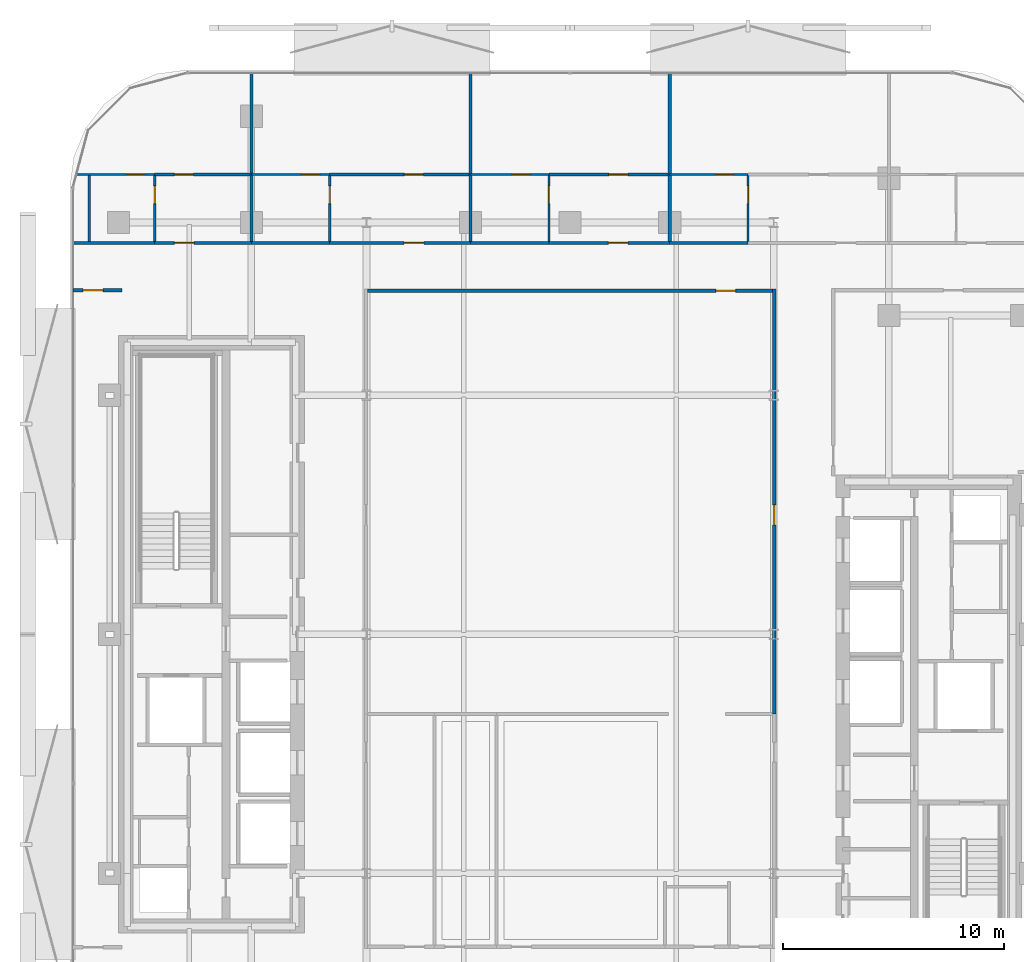
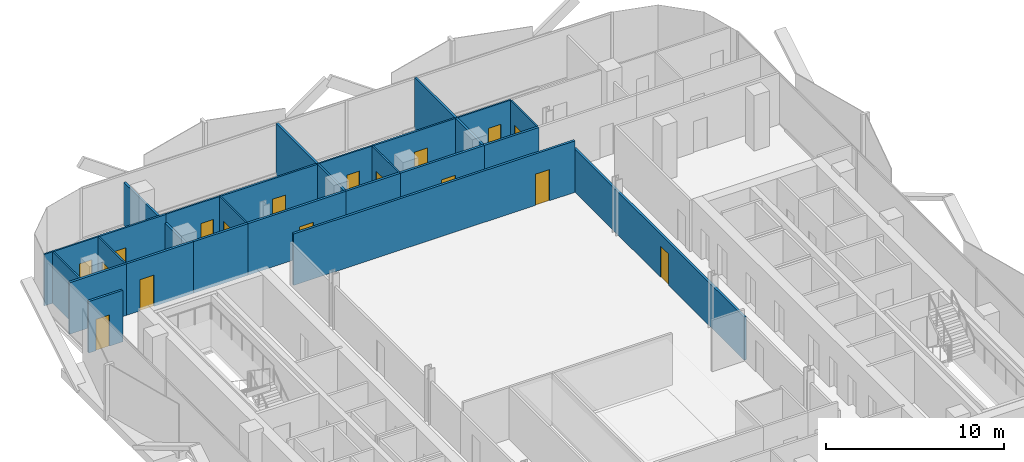
# One storey, part 6 of 17: 28 walls, 17 doors, 17 openings.
"""IFC4 building model written with IfcOpenShell, lengths in metres."""

from ifc_helpers import new_model, si_unit, direction, frame, frame_2d, origin, place, context, subcontext, project, spatial, rectangle, extrude, material, layer, layer_set, type_object, element, fill, save


model = new_model("IFC4")

# Units and contexts
model_context = context("Model", 3, precision=1e-05, world=origin(), true_north=direction((0.0, 1.0)))
body_context = subcontext(model_context, "Body", "Model", "MODEL_VIEW")
ifc_project = project(units=[si_unit("LENGTHUNIT", "METRE"), si_unit("AREAUNIT", "SQUARE_METRE"), si_unit("VOLUMEUNIT", "CUBIC_METRE"), si_unit("PLANEANGLEUNIT", "RADIAN"), si_unit("MASSUNIT", "GRAM", prefix="KILO")], contexts=[model_context])

# Site, building, storey
site_placement = place(None, origin())
site = spatial("IfcSite", under=ifc_project, at=site_placement, CompositionType="ELEMENT")
building_placement = place(site_placement, origin())
building = spatial("IfcBuilding", under=site, at=building_placement, Name="Khairoan Windgate Tower", CompositionType="ELEMENT")
storey_placement = place(building_placement, frame((0.0, 0.0, 168.800048828125)))
storey = spatial("IfcBuildingStorey", under=building, at=storey_placement, Name="L38", CompositionType="ELEMENT", Elevation=168.800048828125)

# Wall, opening, door
ifc_material_1 = material(Name="Moisture-Resistant Gypsum Partition", Category="gypsum")
ifc_layer_1 = layer(ifc_material_1, 0.10009765625, Name="Moisture-Resistant Gypsum Partition")
ifc_layer_set_1 = layer_set([ifc_layer_1], Name="Moisture-Resistant Gypsum Partition")
wall_type_1 = type_object("IfcWallType", Name="Bathroom Wet-Area Partition Wall", PredefinedType="PARTITIONING", material=ifc_layer_set_1)
wall_1_placement = place(storey_placement, frame((-18.763916015625, 17.7548828125, 0.0), z_axis=(0.0, 0.0, 1.0), x_axis=(0.0, 1.0, 0.0)))
wall_1 = element("IfcWall", 1, at=wall_1_placement, inside=storey, type_object=wall_type_1, Name="L38 Interior Partition 052", PredefinedType="PARTITIONING", context=body_context, shape_type="SweptSolid", body=[
    extrude(rectangle(XDim=2.965087890625, YDim=0.10009765625, at=frame_2d((1.482421875, 0.0))), origin(), (0.0, 0.0, 1.0), 3.5400390625),
])
opening_1_placement = place(wall_1_placement, frame((1.705078125, 0.0, 0.0)))
opening_1 = element("IfcOpeningElement", 2, at=opening_1_placement, cuts=wall_1, Name="Opening ID-BTH", PredefinedType="OPENING", context=body_context, shape_type="SweptSolid", body=[
    extrude(rectangle(XDim=0.800048828125, YDim=2.10009765625, at=frame_2d((0.39990234375, 1.050048828125))), frame((0.0, 0.06005859375, 0.0), z_axis=(0.0, -1.0, 0.0), x_axis=(1.0, 0.0, 0.0)), (0.0, 0.0, 1.0), 0.1201171875),
])
ifc_material_2 = material(Name="Teak Veneer Timber Leaf", Category="wood")
door_type_1 = type_object("IfcDoorType", Name="Internal Bathroom Door ID-BTH 800x2100", OperationType="NOTDEFINED", PredefinedType="DOOR", material=ifc_material_2)
door_1_placement = place(opening_1_placement, origin())
door_1 = element("IfcDoor", 3, at=door_1_placement, inside=storey, type_object=door_type_1, Name="L38 L38-40-L38-41 Door", OperationType="SINGLE_SWING_RIGHT", OverallHeight=2.10009765625, OverallWidth=0.800048828125, PredefinedType="DOOR", context=body_context, shape_type="SweptSolid", body=[
    extrude(rectangle(XDim=0.800048828125, YDim=2.10009765625, at=frame_2d((0.39990234375, 1.050048828125))), frame((0.0, 0.02490234375, 0.0), z_axis=(0.0, -1.0, 0.0), x_axis=(1.0, 0.0, 0.0)), (0.0, 0.0, 1.0), 0.050048828125),
])
fill(opening_1, door_1)

wall_2_placement = place(storey_placement, frame((-22.300048828125, 20.77001953125, 0.0), z_axis=(0.0, 0.0, 1.0), x_axis=(1.0, 0.0, 0.0)))
wall_2 = element("IfcWall", 4, at=wall_2_placement, inside=storey, type_object=wall_type_1, Name="L38 Interior Partition 053", PredefinedType="PARTITIONING", context=body_context, shape_type="SweptSolid", body=[
    extrude(rectangle(XDim=3.5361328125, YDim=0.10009765625, at=frame_2d((1.76806640625, 0.0))), origin(), (0.0, 0.0, 1.0), 3.5400390625),
])
opening_2_placement = place(wall_2_placement, frame((2.276123046875, 0.0, 0.0)))
opening_2 = element("IfcOpeningElement", 5, at=opening_2_placement, cuts=wall_2, Name="Opening ID-BTH", PredefinedType="OPENING", context=body_context, shape_type="SweptSolid", body=[
    extrude(rectangle(XDim=0.800048828125, YDim=2.10009765625, at=frame_2d((0.39990234375, 1.050048828125))), frame((0.0, 0.06005859375, 0.0), z_axis=(0.0, -1.0, 0.0), x_axis=(1.0, 0.0, 0.0)), (0.0, 0.0, 1.0), 0.1201171875),
])
door_2_placement = place(opening_2_placement, origin())
door_2 = element("IfcDoor", 6, at=door_2_placement, inside=storey, type_object=door_type_1, Name="L38 L38-40-L38-42 Door", OperationType="SINGLE_SWING_LEFT", OverallHeight=2.10009765625, OverallWidth=0.800048828125, PredefinedType="DOOR", context=body_context, shape_type="SweptSolid", body=[
    extrude(rectangle(XDim=0.800048828125, YDim=2.10009765625, at=frame_2d((0.39990234375, 1.050048828125))), frame((0.0, 0.02490234375, 0.0), z_axis=(0.0, -1.0, 0.0), x_axis=(1.0, 0.0, 0.0)), (0.0, 0.0, 1.0), 0.050048828125),
])
fill(opening_2, door_2)

wall_3_placement = place(storey_placement, frame((-10.860107421875, 17.7548828125, 0.0), z_axis=(0.0, 0.0, 1.0), x_axis=(0.0, 1.0, 0.0)))
wall_3 = element("IfcWall", 7, at=wall_3_placement, inside=storey, type_object=wall_type_1, Name="L38 Interior Partition 057", PredefinedType="PARTITIONING", context=body_context, shape_type="SweptSolid", body=[
    extrude(rectangle(XDim=2.965087890625, YDim=0.10009765625, at=frame_2d((1.482421875, 0.0))), origin(), (0.0, 0.0, 1.0), 3.5400390625),
])
opening_3_placement = place(wall_3_placement, frame((1.705078125, 0.0, 0.0)))
opening_3 = element("IfcOpeningElement", 8, at=opening_3_placement, cuts=wall_3, Name="Opening ID-BTH", PredefinedType="OPENING", context=body_context, shape_type="SweptSolid", body=[
    extrude(rectangle(XDim=0.800048828125, YDim=2.10009765625, at=frame_2d((0.39990234375, 1.050048828125))), frame((0.0, 0.06005859375, 0.0), z_axis=(0.0, -1.0, 0.0), x_axis=(1.0, 0.0, 0.0)), (0.0, 0.0, 1.0), 0.1201171875),
])
door_3_placement = place(opening_3_placement, origin())
door_3 = element("IfcDoor", 9, at=door_3_placement, inside=storey, type_object=door_type_1, Name="L38 L38-43-L38-44 Door", OperationType="SINGLE_SWING_LEFT", OverallHeight=2.10009765625, OverallWidth=0.800048828125, PredefinedType="DOOR", context=body_context, shape_type="SweptSolid", body=[
    extrude(rectangle(XDim=0.800048828125, YDim=2.10009765625, at=frame_2d((0.39990234375, 1.050048828125))), frame((0.0, 0.02490234375, 0.0), z_axis=(0.0, -1.0, 0.0), x_axis=(1.0, 0.0, 0.0)), (0.0, 0.0, 1.0), 0.050048828125),
])
fill(opening_3, door_3)

wall_4_placement = place(storey_placement, frame((-14.39990234375, 20.77001953125, 0.0), z_axis=(0.0, 0.0, 1.0), x_axis=(1.0, 0.0, 0.0)))
wall_4 = element("IfcWall", 10, at=wall_4_placement, inside=storey, type_object=wall_type_1, Name="L38 Interior Partition 058", PredefinedType="PARTITIONING", context=body_context, shape_type="SweptSolid", body=[
    extrude(rectangle(XDim=3.539794921875, YDim=0.10009765625, at=frame_2d((1.77001953125, 0.0))), origin(), (0.0, 0.0, 1.0), 3.5400390625),
])
opening_4_placement = place(wall_4_placement, frame((2.280029296875, 0.0, 0.0)))
opening_4 = element("IfcOpeningElement", 11, at=opening_4_placement, cuts=wall_4, Name="Opening ID-BTH", PredefinedType="OPENING", context=body_context, shape_type="SweptSolid", body=[
    extrude(rectangle(XDim=0.800048828125, YDim=2.10009765625, at=frame_2d((0.39990234375, 1.050048828125))), frame((0.0, 0.06005859375, 0.0), z_axis=(0.0, -1.0, 0.0), x_axis=(1.0, 0.0, 0.0)), (0.0, 0.0, 1.0), 0.1201171875),
])
door_4_placement = place(opening_4_placement, origin())
door_4 = element("IfcDoor", 12, at=door_4_placement, inside=storey, type_object=door_type_1, Name="L38 L38-43-L38-45 Door", OperationType="SINGLE_SWING_RIGHT", OverallHeight=2.10009765625, OverallWidth=0.800048828125, PredefinedType="DOOR", context=body_context, shape_type="SweptSolid", body=[
    extrude(rectangle(XDim=0.800048828125, YDim=2.10009765625, at=frame_2d((0.39990234375, 1.050048828125))), frame((0.0, 0.02490234375, 0.0), z_axis=(0.0, -1.0, 0.0), x_axis=(1.0, 0.0, 0.0)), (0.0, 0.0, 1.0), 0.050048828125),
])
fill(opening_4, door_4)

wall_5_placement = place(storey_placement, frame((-0.9599609375, 17.7548828125, 0.0), z_axis=(0.0, 0.0, 1.0), x_axis=(0.0, 1.0, 0.0)))
wall_5 = element("IfcWall", 13, at=wall_5_placement, inside=storey, type_object=wall_type_1, Name="L38 Interior Partition 062", PredefinedType="PARTITIONING", context=body_context, shape_type="SweptSolid", body=[
    extrude(rectangle(XDim=2.965087890625, YDim=0.10009765625, at=frame_2d((1.482421875, 0.0))), origin(), (0.0, 0.0, 1.0), 3.5400390625),
])
opening_5_placement = place(wall_5_placement, frame((1.705078125, 0.0, 0.0)))
opening_5 = element("IfcOpeningElement", 14, at=opening_5_placement, cuts=wall_5, Name="Opening ID-BTH", PredefinedType="OPENING", context=body_context, shape_type="SweptSolid", body=[
    extrude(rectangle(XDim=0.800048828125, YDim=2.10009765625, at=frame_2d((0.39990234375, 1.050048828125))), frame((0.0, 0.06005859375, 0.0), z_axis=(0.0, -1.0, 0.0), x_axis=(1.0, 0.0, 0.0)), (0.0, 0.0, 1.0), 0.1201171875),
])
door_5_placement = place(opening_5_placement, origin())
door_5 = element("IfcDoor", 15, at=door_5_placement, inside=storey, type_object=door_type_1, Name="L38 L38-46-L38-47 Door", OperationType="SINGLE_SWING_RIGHT", OverallHeight=2.10009765625, OverallWidth=0.800048828125, PredefinedType="DOOR", context=body_context, shape_type="SweptSolid", body=[
    extrude(rectangle(XDim=0.800048828125, YDim=2.10009765625, at=frame_2d((0.39990234375, 1.050048828125))), frame((0.0, 0.02490234375, 0.0), z_axis=(0.0, -1.0, 0.0), x_axis=(1.0, 0.0, 0.0)), (0.0, 0.0, 1.0), 0.050048828125),
])
fill(opening_5, door_5)

wall_6_placement = place(storey_placement, frame((-4.5, 20.77001953125, 0.0), z_axis=(0.0, 0.0, 1.0), x_axis=(1.0, 0.0, 0.0)))
wall_6 = element("IfcWall", 16, at=wall_6_placement, inside=storey, type_object=wall_type_1, Name="L38 Interior Partition 063", PredefinedType="PARTITIONING", context=body_context, shape_type="SweptSolid", body=[
    extrude(rectangle(XDim=3.5400390625, YDim=0.10009765625, at=frame_2d((1.77001953125, 0.0))), origin(), (0.0, 0.0, 1.0), 3.5400390625),
])
opening_6_placement = place(wall_6_placement, frame((1.87548828125, 0.0, 0.0)))
opening_6 = element("IfcOpeningElement", 17, at=opening_6_placement, cuts=wall_6, Name="Opening ID-BTH", PredefinedType="OPENING", context=body_context, shape_type="SweptSolid", body=[
    extrude(rectangle(XDim=0.800048828125, YDim=2.10009765625, at=frame_2d((0.39990234375, 1.050048828125))), frame((0.0, 0.06005859375, 0.0), z_axis=(0.0, -1.0, 0.0), x_axis=(1.0, 0.0, 0.0)), (0.0, 0.0, 1.0), 0.1201171875),
])
door_6_placement = place(opening_6_placement, origin())
door_6 = element("IfcDoor", 18, at=door_6_placement, inside=storey, type_object=door_type_1, Name="L38 L38-46-L38-48 Door", OperationType="SINGLE_SWING_LEFT", OverallHeight=2.10009765625, OverallWidth=0.800048828125, PredefinedType="DOOR", context=body_context, shape_type="SweptSolid", body=[
    extrude(rectangle(XDim=0.800048828125, YDim=2.10009765625, at=frame_2d((0.39990234375, 1.050048828125))), frame((0.0, 0.02490234375, 0.0), z_axis=(0.0, -1.0, 0.0), x_axis=(1.0, 0.0, 0.0)), (0.0, 0.0, 1.0), 0.050048828125),
])
fill(opening_6, door_6)

wall_7_placement = place(storey_placement, frame((8.0400390625, 17.7548828125, 0.0), z_axis=(0.0, 0.0, 1.0), x_axis=(0.0, 1.0, 0.0)))
wall_7 = element("IfcWall", 19, at=wall_7_placement, inside=storey, type_object=wall_type_1, Name="L38 Interior Partition 067", PredefinedType="PARTITIONING", context=body_context, shape_type="SweptSolid", body=[
    extrude(rectangle(XDim=2.965087890625, YDim=0.10009765625, at=frame_2d((1.482421875, 0.0))), origin(), (0.0, 0.0, 1.0), 3.5400390625),
])
opening_7_placement = place(wall_7_placement, frame((1.705078125, 0.0, 0.0)))
opening_7 = element("IfcOpeningElement", 20, at=opening_7_placement, cuts=wall_7, Name="Opening ID-BTH", PredefinedType="OPENING", context=body_context, shape_type="SweptSolid", body=[
    extrude(rectangle(XDim=0.800048828125, YDim=2.10009765625, at=frame_2d((0.39990234375, 1.050048828125))), frame((0.0, 0.06005859375, 0.0), z_axis=(0.0, -1.0, 0.0), x_axis=(1.0, 0.0, 0.0)), (0.0, 0.0, 1.0), 0.1201171875),
])
door_7_placement = place(opening_7_placement, origin())
door_7 = element("IfcDoor", 21, at=door_7_placement, inside=storey, type_object=door_type_1, Name="L38 L38-49-L38-50 Door", OperationType="SINGLE_SWING_LEFT", OverallHeight=2.10009765625, OverallWidth=0.800048828125, PredefinedType="DOOR", context=body_context, shape_type="SweptSolid", body=[
    extrude(rectangle(XDim=0.800048828125, YDim=2.10009765625, at=frame_2d((0.39990234375, 1.050048828125))), frame((0.0, 0.02490234375, 0.0), z_axis=(0.0, -1.0, 0.0), x_axis=(1.0, 0.0, 0.0)), (0.0, 0.0, 1.0), 0.050048828125),
])
fill(opening_7, door_7)

wall_8_placement = place(storey_placement, frame((4.5, 20.77001953125, 0.0), z_axis=(0.0, 0.0, 1.0), x_axis=(1.0, 0.0, 0.0)))
wall_8 = element("IfcWall", 22, at=wall_8_placement, inside=storey, type_object=wall_type_1, Name="L38 Interior Partition 068", PredefinedType="PARTITIONING", context=body_context, shape_type="SweptSolid", body=[
    extrude(rectangle(XDim=3.5400390625, YDim=0.10009765625, at=frame_2d((1.77001953125, 0.0))), origin(), (0.0, 0.0, 1.0), 3.5400390625),
])
opening_8_placement = place(wall_8_placement, frame((2.077880859375, 0.0, 0.0)))
opening_8 = element("IfcOpeningElement", 23, at=opening_8_placement, cuts=wall_8, Name="Opening ID-BTH", PredefinedType="OPENING", context=body_context, shape_type="SweptSolid", body=[
    extrude(rectangle(XDim=0.800048828125, YDim=2.10009765625, at=frame_2d((0.39990234375, 1.050048828125))), frame((0.0, 0.06005859375, 0.0), z_axis=(0.0, -1.0, 0.0), x_axis=(1.0, 0.0, 0.0)), (0.0, 0.0, 1.0), 0.1201171875),
])
door_8_placement = place(opening_8_placement, origin())
door_8 = element("IfcDoor", 24, at=door_8_placement, inside=storey, type_object=door_type_1, Name="L38 L38-49-L38-51 Door", OperationType="SINGLE_SWING_RIGHT", OverallHeight=2.10009765625, OverallWidth=0.800048828125, PredefinedType="DOOR", context=body_context, shape_type="SweptSolid", body=[
    extrude(rectangle(XDim=0.800048828125, YDim=2.10009765625, at=frame_2d((0.39990234375, 1.050048828125))), frame((0.0, 0.02490234375, 0.0), z_axis=(0.0, -1.0, 0.0), x_axis=(1.0, 0.0, 0.0)), (0.0, 0.0, 1.0), 0.050048828125),
])
fill(opening_8, door_8)

# Walls
wall_9_placement = place(storey_placement, frame((-21.719970703125, 17.7548828125, 0.0), z_axis=(0.0, 0.0, 1.0), x_axis=(0.0, 1.0, 0.0)))
element("IfcWall", 25, at=wall_9_placement, inside=storey, type_object=wall_type_1, Name="L38 Wet Room Side Wall 092", PredefinedType="PARTITIONING", context=body_context, shape_type="SweptSolid", body=[
    extrude(rectangle(XDim=2.965087890625, YDim=0.10009765625, at=frame_2d((1.482421875, 0.0))), origin(), (0.0, 0.0, 1.0), 3.5400390625),
])
ifc_material_3 = material(Name="Acoustic Fire-Rated Gypsum Partition", Category="gypsum")
ifc_layer_2 = layer(ifc_material_3, 0.139892578125, Name="Acoustic Fire-Rated Gypsum Partition")
ifc_layer_set_2 = layer_set([ifc_layer_2], Name="Acoustic Fire-Rated Gypsum Partition")
wall_type_2 = type_object("IfcWallType", Name="Inter-Tenancy Compartment Wall", PredefinedType="PARTITIONING", material=ifc_layer_set_2)
wall_10_placement = place(storey_placement, frame((-14.39990234375, 17.7548828125, 0.0), z_axis=(0.0, 0.0, 1.0), x_axis=(0.0, 1.0, 0.0)))
element("IfcWall", 26, at=wall_10_placement, inside=storey, type_object=wall_type_2, Name="L38 Interior Partition 055", PredefinedType="PARTITIONING", context=body_context, shape_type="SweptSolid", body=[
    extrude(rectangle(XDim=3.01513671875, YDim=0.139892578125, at=frame_2d((1.507568359375, 0.0))), origin(), (0.0, 0.0, 1.0), 2.951904296875),
])
wall_11_placement = place(storey_placement, frame((-14.39990234375, 20.77001953125, 0.0), z_axis=(0.0, 0.0, 1.0), x_axis=(0.0, 1.0, 0.0)))
element("IfcWall", 27, at=wall_11_placement, inside=storey, type_object=wall_type_2, Name="L38 Interior Partition 056", PredefinedType="PARTITIONING", context=body_context, shape_type="SweptSolid", body=[
    extrude(rectangle(XDim=4.5849609375, YDim=0.139892578125, at=frame_2d((2.29248046875, 0.0))), origin(), (0.0, 0.0, 1.0), 2.951904296875),
])
wall_12_placement = place(storey_placement, frame((-4.5, 17.7548828125, 0.0), z_axis=(0.0, 0.0, 1.0), x_axis=(0.0, 1.0, 0.0)))
element("IfcWall", 28, at=wall_12_placement, inside=storey, type_object=wall_type_2, Name="L38 Interior Partition 060", PredefinedType="PARTITIONING", context=body_context, shape_type="SweptSolid", body=[
    extrude(rectangle(XDim=3.01513671875, YDim=0.139892578125, at=frame_2d((1.507568359375, 0.0))), origin(), (0.0, 0.0, 1.0), 3.5400390625),
])
wall_13_placement = place(storey_placement, frame((-4.5, 20.77001953125, 0.0), z_axis=(0.0, 0.0, 1.0), x_axis=(0.0, 1.0, 0.0)))
element("IfcWall", 29, at=wall_13_placement, inside=storey, type_object=wall_type_2, Name="L38 Interior Partition 061", PredefinedType="PARTITIONING", context=body_context, shape_type="SweptSolid", body=[
    extrude(rectangle(XDim=4.5849609375, YDim=0.139892578125, at=frame_2d((2.29248046875, 0.0))), origin(), (0.0, 0.0, 1.0), 3.5400390625),
])
wall_14_placement = place(storey_placement, frame((4.5, 17.7548828125, 0.0), z_axis=(0.0, 0.0, 1.0), x_axis=(0.0, 1.0, 0.0)))
element("IfcWall", 30, at=wall_14_placement, inside=storey, type_object=wall_type_2, Name="L38 Interior Partition 065", PredefinedType="PARTITIONING", context=body_context, shape_type="SweptSolid", body=[
    extrude(rectangle(XDim=3.01513671875, YDim=0.139892578125, at=frame_2d((1.507568359375, 0.0))), origin(), (0.0, 0.0, 1.0), 3.5400390625),
])
wall_15_placement = place(storey_placement, frame((4.5, 20.77001953125, 0.0), z_axis=(0.0, 0.0, 1.0), x_axis=(0.0, 1.0, 0.0)))
element("IfcWall", 31, at=wall_15_placement, inside=storey, type_object=wall_type_2, Name="L38 Interior Partition 066", PredefinedType="PARTITIONING", context=body_context, shape_type="SweptSolid", body=[
    extrude(rectangle(XDim=4.5849609375, YDim=0.139892578125, at=frame_2d((2.29248046875, 0.0))), origin(), (0.0, 0.0, 1.0), 3.5400390625),
])

# Wall, opening, door
ifc_material_4 = material(Name="Gypsum Stud Partition", Category="gypsum")
ifc_layer_3 = layer(ifc_material_4, 0.1201171875, Name="Gypsum Stud Partition")
ifc_layer_set_3 = layer_set([ifc_layer_3], Name="Gypsum Stud Partition")
wall_type_3 = type_object("IfcWallType", Name="Internal Room Partition Wall", PredefinedType="PARTITIONING", material=ifc_layer_set_3)
wall_16_placement = place(storey_placement, frame((-18.763916015625, 20.77001953125, 0.0), z_axis=(0.0, 0.0, 1.0), x_axis=(1.0, 0.0, 0.0)))
wall_16 = element("IfcWall", 32, at=wall_16_placement, inside=storey, type_object=wall_type_3, Name="L38 Interior Partition 054", PredefinedType="PARTITIONING", context=body_context, shape_type="SweptSolid", body=[
    extrude(rectangle(XDim=4.364013671875, YDim=0.1201171875, at=frame_2d((2.18212890625, 0.0))), origin(), (0.0, 0.0, 1.0), 3.5400390625),
])
opening_9_placement = place(wall_16_placement, frame((0.890625, 0.0, 0.0)))
opening_9 = element("IfcOpeningElement", 33, at=opening_9_placement, cuts=wall_16, Name="Opening ID-RM", PredefinedType="OPENING", context=body_context, shape_type="SweptSolid", body=[
    extrude(rectangle(XDim=0.860107421875, YDim=2.14990234375, at=frame_2d((0.43017578125, 1.074951171875))), frame((0.0, 0.070068359375, 0.0), z_axis=(0.0, -1.0, 0.0), x_axis=(1.0, 0.0, 0.0)), (0.0, 0.0, 1.0), 0.14013671875),
])
ifc_material_5 = material(Name="Teak Veneer Timber Leaf", Category="wood")
door_type_2 = type_object("IfcDoorType", Name="Internal Bedroom and Office Door ID-RM 860x2150", OperationType="NOTDEFINED", PredefinedType="DOOR", material=ifc_material_5)
door_9_placement = place(opening_9_placement, origin())
door_9 = element("IfcDoor", 34, at=door_9_placement, inside=storey, type_object=door_type_2, Name="L38 L38-41-L38-42 Door", OperationType="SINGLE_SWING_RIGHT", OverallHeight=2.14990234375, OverallWidth=0.860107421875, PredefinedType="DOOR", context=body_context, shape_type="SweptSolid", body=[
    extrude(rectangle(XDim=0.860107421875, YDim=2.14990234375, at=frame_2d((0.43017578125, 1.074951171875))), frame((0.0, 0.02490234375, 0.0), z_axis=(0.0, -1.0, 0.0), x_axis=(1.0, 0.0, 0.0)), (0.0, 0.0, 1.0), 0.050048828125),
])
fill(opening_9, door_9)

wall_17_placement = place(storey_placement, frame((-10.860107421875, 20.77001953125, 0.0), z_axis=(0.0, 0.0, 1.0), x_axis=(1.0, 0.0, 0.0)))
wall_17 = element("IfcWall", 35, at=wall_17_placement, inside=storey, type_object=wall_type_3, Name="L38 Interior Partition 059", PredefinedType="PARTITIONING", context=body_context, shape_type="SweptSolid", body=[
    extrude(rectangle(XDim=6.360107421875, YDim=0.1201171875, at=frame_2d((3.18017578125, 0.0))), origin(), (0.0, 0.0, 1.0), 3.5400390625),
])
opening_10_placement = place(wall_17_placement, frame((3.37451171875, 0.0, 0.0)))
opening_10 = element("IfcOpeningElement", 36, at=opening_10_placement, cuts=wall_17, Name="Opening ID-RM", PredefinedType="OPENING", context=body_context, shape_type="SweptSolid", body=[
    extrude(rectangle(XDim=0.860107421875, YDim=2.14990234375, at=frame_2d((0.43017578125, 1.074951171875))), frame((0.0, 0.070068359375, 0.0), z_axis=(0.0, -1.0, 0.0), x_axis=(1.0, 0.0, 0.0)), (0.0, 0.0, 1.0), 0.14013671875),
])
door_10_placement = place(opening_10_placement, origin())
door_10 = element("IfcDoor", 37, at=door_10_placement, inside=storey, type_object=door_type_2, Name="L38 L38-44-L38-45 Door", OperationType="SINGLE_SWING_LEFT", OverallHeight=2.14990234375, OverallWidth=0.860107421875, PredefinedType="DOOR", context=body_context, shape_type="SweptSolid", body=[
    extrude(rectangle(XDim=0.860107421875, YDim=2.14990234375, at=frame_2d((0.43017578125, 1.074951171875))), frame((0.0, 0.02490234375, 0.0), z_axis=(0.0, -1.0, 0.0), x_axis=(1.0, 0.0, 0.0)), (0.0, 0.0, 1.0), 0.050048828125),
])
fill(opening_10, door_10)

wall_18_placement = place(storey_placement, frame((-0.9599609375, 20.77001953125, 0.0), z_axis=(0.0, 0.0, 1.0), x_axis=(1.0, 0.0, 0.0)))
wall_18 = element("IfcWall", 38, at=wall_18_placement, inside=storey, type_object=wall_type_3, Name="L38 Interior Partition 064", PredefinedType="PARTITIONING", context=body_context, shape_type="SweptSolid", body=[
    extrude(rectangle(XDim=5.4599609375, YDim=0.1201171875, at=frame_2d((2.72998046875, 0.0))), origin(), (0.0, 0.0, 1.0), 3.5400390625),
])
opening_11_placement = place(wall_18_placement, frame((2.708984375, 0.0, 0.0)))
opening_11 = element("IfcOpeningElement", 39, at=opening_11_placement, cuts=wall_18, Name="Opening ID-RM", PredefinedType="OPENING", context=body_context, shape_type="SweptSolid", body=[
    extrude(rectangle(XDim=0.860107421875, YDim=2.14990234375, at=frame_2d((0.43017578125, 1.074951171875))), frame((0.0, 0.070068359375, 0.0), z_axis=(0.0, -1.0, 0.0), x_axis=(1.0, 0.0, 0.0)), (0.0, 0.0, 1.0), 0.14013671875),
])
door_11_placement = place(opening_11_placement, origin())
door_11 = element("IfcDoor", 40, at=door_11_placement, inside=storey, type_object=door_type_2, Name="L38 L38-47-L38-48 Door", OperationType="SINGLE_SWING_RIGHT", OverallHeight=2.14990234375, OverallWidth=0.860107421875, PredefinedType="DOOR", context=body_context, shape_type="SweptSolid", body=[
    extrude(rectangle(XDim=0.860107421875, YDim=2.14990234375, at=frame_2d((0.43017578125, 1.074951171875))), frame((0.0, 0.02490234375, 0.0), z_axis=(0.0, -1.0, 0.0), x_axis=(1.0, 0.0, 0.0)), (0.0, 0.0, 1.0), 0.050048828125),
])
fill(opening_11, door_11)

ifc_material_6 = material(Name="Acoustic Fire-Rated Gypsum Partition", Category="gypsum")
ifc_layer_4 = layer(ifc_material_6, 0.14990234375, Name="Acoustic Fire-Rated Gypsum Partition")
ifc_layer_set_4 = layer_set([ifc_layer_4], Name="Acoustic Fire-Rated Gypsum Partition")
wall_type_4 = type_object("IfcWallType", Name="Rated Corridor Partition Wall", PredefinedType="PARTITIONING", material=ifc_layer_set_4)
wall_19_placement = place(storey_placement, frame((9.219970703125, -3.60009765625, 0.0), z_axis=(0.0, 0.0, 1.0), x_axis=(0.0, 1.0, 0.0)))
wall_19 = element("IfcWall", 41, at=wall_19_placement, inside=storey, type_object=wall_type_4, Name="L38 Interior Partition 017", PredefinedType="PARTITIONING", context=body_context, shape_type="SweptSolid", body=[
    extrude(rectangle(XDim=19.195068359375, YDim=0.14990234375, at=frame_2d((9.59765625, 0.0))), origin(), (0.0, 0.0, 1.0), 2.951904296875),
])
opening_12_placement = place(wall_19_placement, frame((8.54150390625, 0.0, 0.0)))
opening_12 = element("IfcOpeningElement", 42, at=opening_12_placement, cuts=wall_19, Name="Opening FD-ENT", PredefinedType="OPENING", context=body_context, shape_type="SweptSolid", body=[
    extrude(rectangle(XDim=0.89990234375, YDim=2.14990234375, at=frame_2d((0.449951171875, 1.074951171875))), frame((0.0, 0.0849609375, 0.0), z_axis=(0.0, -1.0, 0.0), x_axis=(1.0, 0.0, 0.0)), (0.0, 0.0, 1.0), 0.169921875),
])
ifc_material_7 = material(Name="Timber Fire-Rated Core", Category="wood")
door_type_3 = type_object("IfcDoorType", Name="Unit and Office Fire Entrance Door FD-ENT 900x2150", OperationType="NOTDEFINED", PredefinedType="DOOR", material=ifc_material_7)
door_12_placement = place(opening_12_placement, origin())
door_12 = element("IfcDoor", 43, at=door_12_placement, inside=storey, type_object=door_type_3, Name="L38 L38-31-L38-39 Door", OperationType="SINGLE_SWING_LEFT", OverallHeight=2.14990234375, OverallWidth=0.89990234375, PredefinedType="DOOR", context=body_context, shape_type="SweptSolid", body=[
    extrude(rectangle(XDim=0.89990234375, YDim=2.14990234375, at=frame_2d((0.449951171875, 1.074951171875))), frame((0.0, 0.02490234375, 0.0), z_axis=(0.0, -1.0, 0.0), x_axis=(1.0, 0.0, 0.0)), (0.0, 0.0, 1.0), 0.050048828125),
])
fill(opening_12, door_12)

wall_20_placement = place(storey_placement, frame((-9.14501953125, 15.52001953125, 0.0), z_axis=(0.0, 0.0, 1.0), x_axis=(1.0, 0.0, 0.0)))
wall_20 = element("IfcWall", 44, at=wall_20_placement, inside=storey, type_object=wall_type_4, Name="L38 Interior Partition 019", PredefinedType="PARTITIONING", context=body_context, shape_type="SweptSolid", body=[
    extrude(rectangle(XDim=18.2900390625, YDim=0.14990234375, at=frame_2d((9.14501953125, 0.0))), origin(), (0.0, 0.0, 1.0), 3.5400390625),
])
opening_13_placement = place(wall_20_placement, frame((15.724853515625, 0.0, 0.0)))
opening_13 = element("IfcOpeningElement", 45, at=opening_13_placement, cuts=wall_20, Name="Opening FD-ENT", PredefinedType="OPENING", context=body_context, shape_type="SweptSolid", body=[
    extrude(rectangle(XDim=0.89990234375, YDim=2.14990234375, at=frame_2d((0.449951171875, 1.074951171875))), frame((0.0, 0.0849609375, 0.0), z_axis=(0.0, -1.0, 0.0), x_axis=(1.0, 0.0, 0.0)), (0.0, 0.0, 1.0), 0.169921875),
])
door_13_placement = place(opening_13_placement, origin())
door_13 = element("IfcDoor", 46, at=door_13_placement, inside=storey, type_object=door_type_3, Name="L38 L38-32-L38-39 Door", OperationType="SINGLE_SWING_LEFT", OverallHeight=2.14990234375, OverallWidth=0.89990234375, PredefinedType="DOOR", context=body_context, shape_type="SweptSolid", body=[
    extrude(rectangle(XDim=0.89990234375, YDim=2.14990234375, at=frame_2d((0.449951171875, 1.074951171875))), frame((0.0, 0.02490234375, 0.0), z_axis=(0.0, -1.0, 0.0), x_axis=(1.0, 0.0, 0.0)), (0.0, 0.0, 1.0), 0.050048828125),
])
fill(opening_13, door_13)

# Wall
wall_21_placement = place(storey_placement, frame((-22.455078125, 17.679931640625, 0.0), z_axis=(0.0, 0.0, 1.0), x_axis=(1.0, 0.0, 0.0)))
element("IfcWall", 47, at=wall_21_placement, inside=storey, type_object=wall_type_4, Name="L38 Interior Partition 020", PredefinedType="PARTITIONING", context=body_context, shape_type="SweptSolid", body=[
    extrude(rectangle(XDim=3.691162109375, YDim=0.14990234375, at=frame_2d((1.845703125, 0.0))), origin(), (0.0, 0.0, 1.0), 3.5400390625),
])

# Wall, opening, door
wall_22_placement = place(storey_placement, frame((-18.763916015625, 17.679931640625, 0.0), z_axis=(0.0, 0.0, 1.0), x_axis=(1.0, 0.0, 0.0)))
wall_22 = element("IfcWall", 48, at=wall_22_placement, inside=storey, type_object=wall_type_4, Name="L38 Interior Partition 021", PredefinedType="PARTITIONING", context=body_context, shape_type="SweptSolid", body=[
    extrude(rectangle(XDim=4.364013671875, YDim=0.14990234375, at=frame_2d((2.18212890625, 0.0))), origin(), (0.0, 0.0, 1.0), 3.5400390625),
])
opening_14_placement = place(wall_22_placement, frame((0.884033203125, 0.0, 0.0)))
opening_14 = element("IfcOpeningElement", 49, at=opening_14_placement, cuts=wall_22, Name="Opening FD-ENT", PredefinedType="OPENING", context=body_context, shape_type="SweptSolid", body=[
    extrude(rectangle(XDim=0.89990234375, YDim=2.14990234375, at=frame_2d((0.449951171875, 1.074951171875))), frame((0.0, 0.0849609375, 0.0), z_axis=(0.0, -1.0, 0.0), x_axis=(1.0, 0.0, 0.0)), (0.0, 0.0, 1.0), 0.169921875),
])
door_14_placement = place(opening_14_placement, origin())
door_14 = element("IfcDoor", 50, at=door_14_placement, inside=storey, type_object=door_type_3, Name="L38 L38-32-L38-41 Door", OperationType="SINGLE_SWING_RIGHT", OverallHeight=2.14990234375, OverallWidth=0.89990234375, PredefinedType="DOOR", context=body_context, shape_type="SweptSolid", body=[
    extrude(rectangle(XDim=0.89990234375, YDim=2.14990234375, at=frame_2d((0.449951171875, 1.074951171875))), frame((0.0, 0.02490234375, 0.0), z_axis=(0.0, -1.0, 0.0), x_axis=(1.0, 0.0, 0.0)), (0.0, 0.0, 1.0), 0.050048828125),
])
fill(opening_14, door_14)

# Wall
wall_23_placement = place(storey_placement, frame((-14.39990234375, 17.679931640625, 0.0), z_axis=(0.0, 0.0, 1.0), x_axis=(1.0, 0.0, 0.0)))
element("IfcWall", 51, at=wall_23_placement, inside=storey, type_object=wall_type_4, Name="L38 Interior Partition 022", PredefinedType="PARTITIONING", context=body_context, shape_type="SweptSolid", body=[
    extrude(rectangle(XDim=3.539794921875, YDim=0.14990234375, at=frame_2d((1.77001953125, 0.0))), origin(), (0.0, 0.0, 1.0), 3.5400390625),
])

# Wall, opening, door
wall_24_placement = place(storey_placement, frame((-10.860107421875, 17.679931640625, 0.0), z_axis=(0.0, 0.0, 1.0), x_axis=(1.0, 0.0, 0.0)))
wall_24 = element("IfcWall", 52, at=wall_24_placement, inside=storey, type_object=wall_type_4, Name="L38 Interior Partition 023", PredefinedType="PARTITIONING", context=body_context, shape_type="SweptSolid", body=[
    extrude(rectangle(XDim=6.360107421875, YDim=0.14990234375, at=frame_2d((3.18017578125, 0.0))), origin(), (0.0, 0.0, 1.0), 3.5400390625),
])
opening_15_placement = place(wall_24_placement, frame((3.34912109375, 0.0, 0.0)))
opening_15 = element("IfcOpeningElement", 53, at=opening_15_placement, cuts=wall_24, Name="Opening FD-ENT", PredefinedType="OPENING", context=body_context, shape_type="SweptSolid", body=[
    extrude(rectangle(XDim=0.89990234375, YDim=2.14990234375, at=frame_2d((0.449951171875, 1.074951171875))), frame((0.0, 0.0849609375, 0.0), z_axis=(0.0, -1.0, 0.0), x_axis=(1.0, 0.0, 0.0)), (0.0, 0.0, 1.0), 0.169921875),
])
door_15_placement = place(opening_15_placement, origin())
door_15 = element("IfcDoor", 54, at=door_15_placement, inside=storey, type_object=door_type_3, Name="L38 L38-32-L38-44 Door", OperationType="SINGLE_SWING_LEFT", OverallHeight=2.14990234375, OverallWidth=0.89990234375, PredefinedType="DOOR", context=body_context, shape_type="SweptSolid", body=[
    extrude(rectangle(XDim=0.89990234375, YDim=2.14990234375, at=frame_2d((0.449951171875, 1.074951171875))), frame((0.0, 0.02490234375, 0.0), z_axis=(0.0, -1.0, 0.0), x_axis=(1.0, 0.0, 0.0)), (0.0, 0.0, 1.0), 0.050048828125),
])
fill(opening_15, door_15)

# Wall
wall_25_placement = place(storey_placement, frame((-4.5, 17.679931640625, 0.0), z_axis=(0.0, 0.0, 1.0), x_axis=(1.0, 0.0, 0.0)))
element("IfcWall", 55, at=wall_25_placement, inside=storey, type_object=wall_type_4, Name="L38 Interior Partition 024", PredefinedType="PARTITIONING", context=body_context, shape_type="SweptSolid", body=[
    extrude(rectangle(XDim=3.5400390625, YDim=0.14990234375, at=frame_2d((1.77001953125, 0.0))), origin(), (0.0, 0.0, 1.0), 3.5400390625),
])

# Wall, opening, door
wall_26_placement = place(storey_placement, frame((-0.9599609375, 17.679931640625, 0.0), z_axis=(0.0, 0.0, 1.0), x_axis=(1.0, 0.0, 0.0)))
wall_26 = element("IfcWall", 56, at=wall_26_placement, inside=storey, type_object=wall_type_4, Name="L38 Interior Partition 025", PredefinedType="PARTITIONING", context=body_context, shape_type="SweptSolid", body=[
    extrude(rectangle(XDim=5.4599609375, YDim=0.14990234375, at=frame_2d((2.72998046875, 0.0))), origin(), (0.0, 0.0, 1.0), 3.5400390625),
])
opening_16_placement = place(wall_26_placement, frame((2.684326171875, 0.0, 0.0)))
opening_16 = element("IfcOpeningElement", 57, at=opening_16_placement, cuts=wall_26, Name="Opening FD-ENT", PredefinedType="OPENING", context=body_context, shape_type="SweptSolid", body=[
    extrude(rectangle(XDim=0.89990234375, YDim=2.14990234375, at=frame_2d((0.449951171875, 1.074951171875))), frame((0.0, 0.0849609375, 0.0), z_axis=(0.0, -1.0, 0.0), x_axis=(1.0, 0.0, 0.0)), (0.0, 0.0, 1.0), 0.169921875),
])
door_16_placement = place(opening_16_placement, origin())
door_16 = element("IfcDoor", 58, at=door_16_placement, inside=storey, type_object=door_type_3, Name="L38 L38-32-L38-47 Door", OperationType="SINGLE_SWING_RIGHT", OverallHeight=2.14990234375, OverallWidth=0.89990234375, PredefinedType="DOOR", context=body_context, shape_type="SweptSolid", body=[
    extrude(rectangle(XDim=0.89990234375, YDim=2.14990234375, at=frame_2d((0.449951171875, 1.074951171875))), frame((0.0, 0.02490234375, 0.0), z_axis=(0.0, -1.0, 0.0), x_axis=(1.0, 0.0, 0.0)), (0.0, 0.0, 1.0), 0.050048828125),
])
fill(opening_16, door_16)

# Wall
wall_27_placement = place(storey_placement, frame((4.5, 17.679931640625, 0.0), z_axis=(0.0, 0.0, 1.0), x_axis=(1.0, 0.0, 0.0)))
element("IfcWall", 59, at=wall_27_placement, inside=storey, type_object=wall_type_4, Name="L38 Interior Partition 026", PredefinedType="PARTITIONING", context=body_context, shape_type="SweptSolid", body=[
    extrude(rectangle(XDim=3.5400390625, YDim=0.14990234375, at=frame_2d((1.77001953125, 0.0))), origin(), (0.0, 0.0, 1.0), 3.5400390625),
])

# Wall, opening, door
wall_28_placement = place(storey_placement, frame((-22.455078125, 15.5400390625, 0.0), z_axis=(0.0, 0.0, 1.0), x_axis=(1.0, 0.0, 0.0)))
wall_28 = element("IfcWall", 60, at=wall_28_placement, inside=storey, type_object=wall_type_4, Name="L38 Interior Partition 031", PredefinedType="PARTITIONING", context=body_context, shape_type="SweptSolid", body=[
    extrude(rectangle(XDim=2.215087890625, YDim=0.14990234375, at=frame_2d((1.107421875, 0.0))), origin(), (0.0, 0.0, 1.0), 3.5400390625),
])
opening_17_placement = place(wall_28_placement, frame((0.4599609375, 0.0, 0.0)))
opening_17 = element("IfcOpeningElement", 61, at=opening_17_placement, cuts=wall_28, Name="Opening FD-ENT", PredefinedType="OPENING", context=body_context, shape_type="SweptSolid", body=[
    extrude(rectangle(XDim=0.89990234375, YDim=2.14990234375, at=frame_2d((0.449951171875, 1.074951171875))), frame((0.0, 0.0849609375, 0.0), z_axis=(0.0, -1.0, 0.0), x_axis=(1.0, 0.0, 0.0)), (0.0, 0.0, 1.0), 0.169921875),
])
door_17_placement = place(opening_17_placement, origin())
door_17 = element("IfcDoor", 62, at=door_17_placement, inside=storey, type_object=door_type_3, Name="L38 L38-32-L38-65 Door", OperationType="SINGLE_SWING_RIGHT", OverallHeight=2.14990234375, OverallWidth=0.89990234375, PredefinedType="DOOR", context=body_context, shape_type="SweptSolid", body=[
    extrude(rectangle(XDim=0.89990234375, YDim=2.14990234375, at=frame_2d((0.449951171875, 1.074951171875))), frame((0.0, 0.02490234375, 0.0), z_axis=(0.0, -1.0, 0.0), x_axis=(1.0, 0.0, 0.0)), (0.0, 0.0, 1.0), 0.050048828125),
])
fill(opening_17, door_17)

save(model, "model.ifc")
